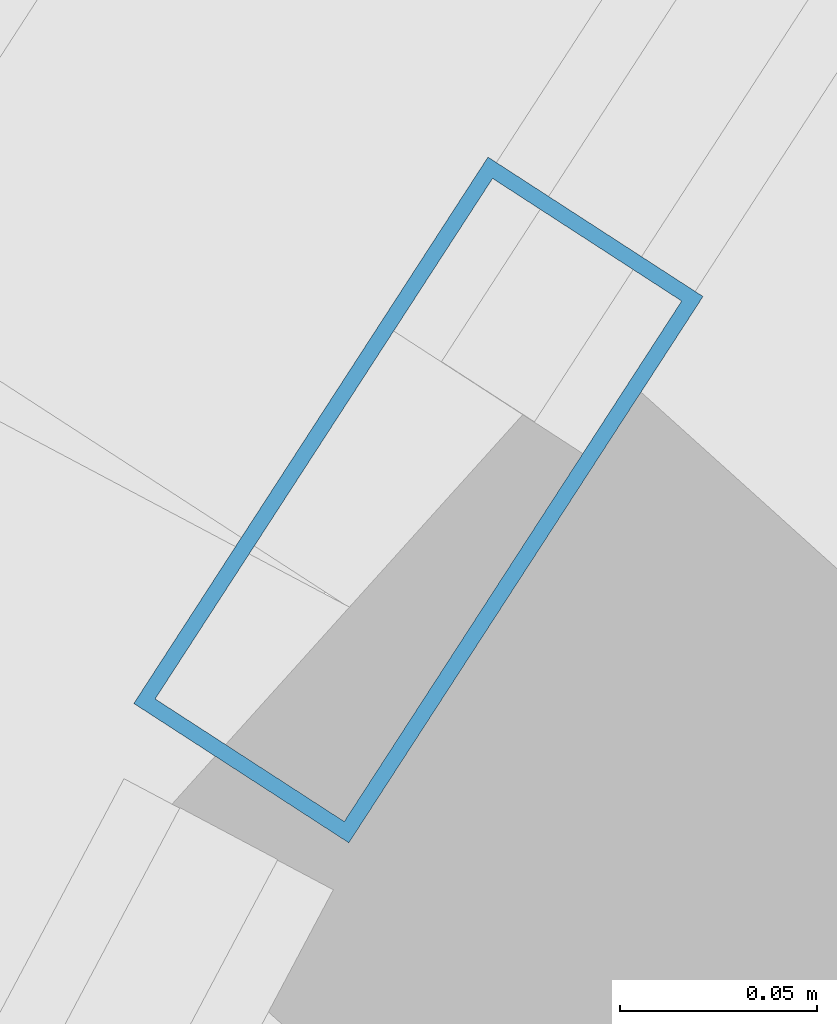
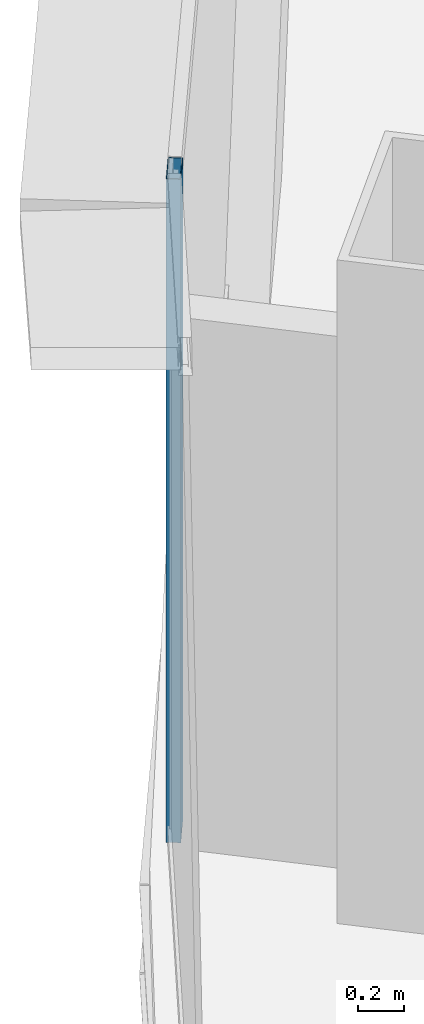
# One storey, part 16 of 41: 1 member, 1 element without a shape of its own.
"""IFC4 building model written with IfcOpenShell, lengths in metres."""

from ifc_helpers import new_model, si_unit, direction, frame, origin, origin_2d, place, context, subcontext, project, spatial, hollow_rectangle, extrude, source, transform, mapped, material, layer, layer_set, material_profile, profile_set, type_object, element, aggregate, save


model = new_model("IFC4")

# Units and contexts
model_context = context("Model", 3, precision=1e-05, world=origin(), true_north=direction((0.0, 1.0)))
body_context = subcontext(model_context, "Body", "Model", "MODEL_VIEW")
ifc_project = project(units=[si_unit("LENGTHUNIT", "METRE"), si_unit("AREAUNIT", "SQUARE_METRE"), si_unit("VOLUMEUNIT", "CUBIC_METRE"), si_unit("PLANEANGLEUNIT", "RADIAN"), si_unit("MASSUNIT", "GRAM", prefix="KILO"), si_unit("THERMODYNAMICTEMPERATUREUNIT", "KELVIN"), si_unit("POWERUNIT", "WATT")], contexts=[model_context])

# Site, building, storey
site_placement = place(None, origin())
site = spatial("IfcSite", under=ifc_project, at=site_placement, CompositionType="ELEMENT")
building_placement = place(site_placement, origin())
building = spatial("IfcBuilding", under=site, at=building_placement, Name="Yunzhuo Pagoda Commons", CompositionType="ELEMENT")
storey_placement = place(building_placement, frame((0.0, 0.0, 115.3798828125)))
storey = spatial("IfcBuildingStorey", under=building, at=storey_placement, Name="L29", CompositionType="ELEMENT", Elevation=115.3798828125)

# Curtain wall, member
ifc_material = material(Name="Anodized aluminium 6063-T6", Category="aluminium")
ifc_layer = layer(ifc_material, 0.1650390625)
ifc_layer_set = layer_set([ifc_layer], Name="Anodized aluminium 6063-T6")
curtain_wall_type = type_object("IfcCurtainWallType", Name="CW-LOW Low-Zone Ribbon Curtain Wall", PredefinedType="NOTDEFINED", material=ifc_layer_set)
curtain_wall_placement = place(storey_placement, origin())
curtain_wall = element("IfcCurtainWall", 1, at=curtain_wall_placement, inside=storey, type_object=curtain_wall_type, Name="L29 curtain wall CW-L29-F3B2", PredefinedType="NOTDEFINED")
ifc_material_profile = material_profile(ifc_material, hollow_rectangle(XDim=0.06494140625, YDim=0.1650390625, WallThickness=0.00390625, at=origin_2d()), Name="Anodized aluminium 6063-T6")
ifc_profile_set = profile_set([ifc_material_profile], Name="Anodized aluminium 6063-T6")
member_type = type_object("IfcMemberType", Name="CW-LOW-M Mullion RHS 165x65x4", PredefinedType="MULLION", material=ifc_profile_set)
shared_shape = source(origin(), body_context, "Body", "SweptSolid", [
    extrude(hollow_rectangle(XDim=0.06494140625, YDim=0.1650390625, WallThickness=0.00390625, at=origin_2d()), origin(), (0.0, 0.0, 1.0), 3.52001953125),
])
member_placement = place(storey_placement, frame((22.425537109375, 56.7705078125, 0.0), z_axis=(0.0, 0.0, 1.0), x_axis=(0.839105842503, -0.543968183884, 0.0)))
member = element("IfcMember", 2, at=member_placement, type_object=member_type, Name="CW mullion 2", PredefinedType="MULLION", context=body_context, shape_type="MappedRepresentation", body=[
    mapped(shared_shape, transform((0.0, 0.0, 0.0), scale=1.0)),
])
aggregate(curtain_wall, [member])

save(model, "model.ifc")
